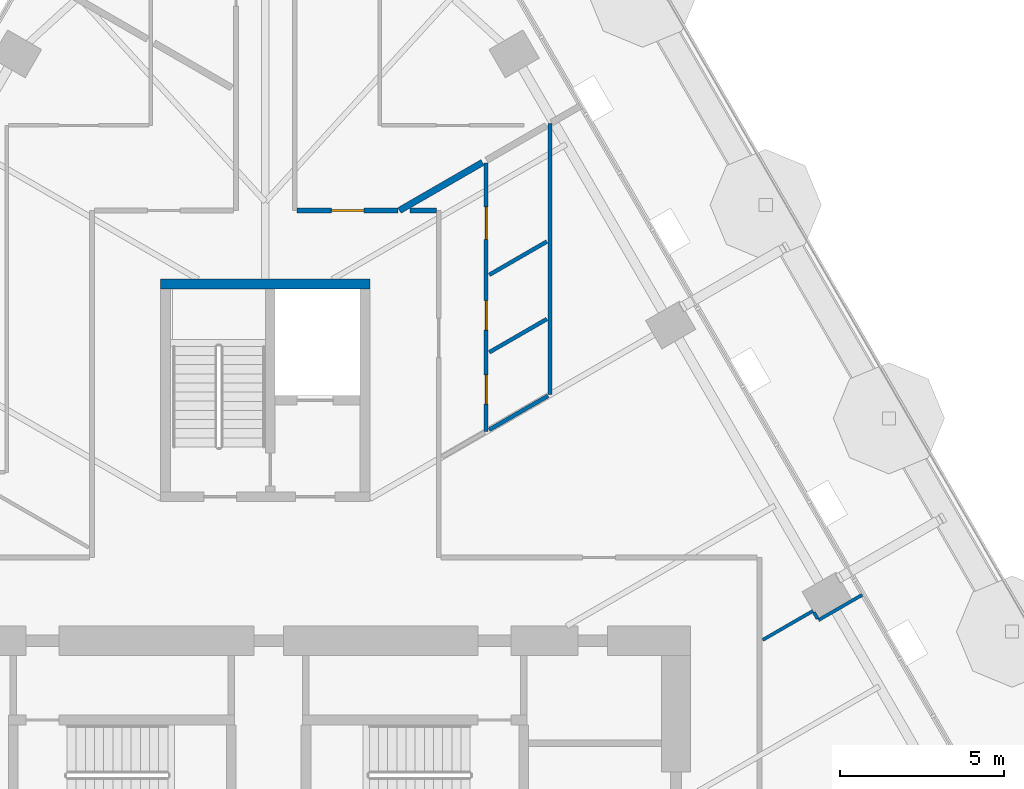
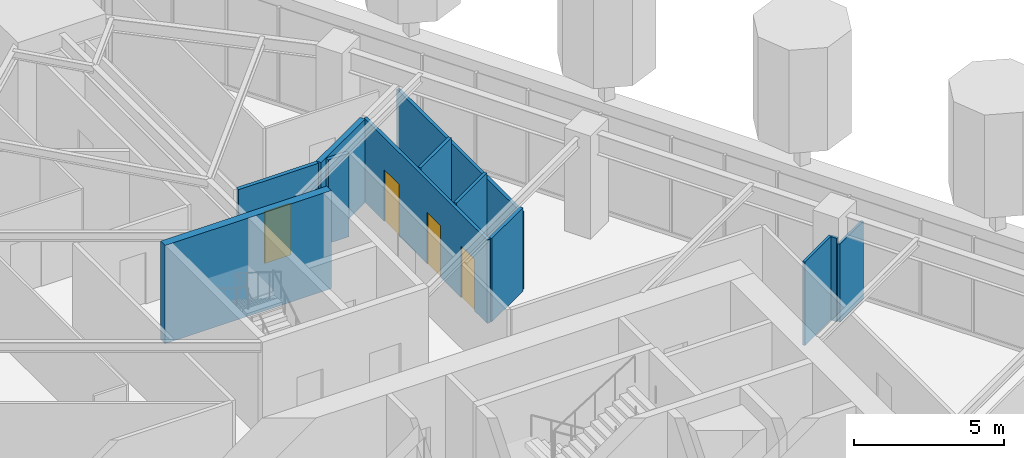
# One storey, part 21 of 26: 12 walls, 4 doors, 4 openings.
"""IFC4 building model written with IfcOpenShell, lengths in metres."""

from ifc_helpers import new_model, si_unit, direction, frame, frame_2d, origin, place, context, subcontext, project, spatial, rectangle, extrude, material, layer, layer_set, type_object, element, fill, save


model = new_model("IFC4")

# Units and contexts
model_context = context("Model", 3, precision=1e-05, world=origin(), true_north=direction((0.0, 1.0)))
body_context = subcontext(model_context, "Body", "Model", "MODEL_VIEW")
ifc_project = project(units=[si_unit("LENGTHUNIT", "METRE"), si_unit("AREAUNIT", "SQUARE_METRE"), si_unit("VOLUMEUNIT", "CUBIC_METRE"), si_unit("PLANEANGLEUNIT", "RADIAN"), si_unit("MASSUNIT", "GRAM", prefix="KILO")], contexts=[model_context])

# Site, building, storey
site_placement = place(None, origin())
site = spatial("IfcSite", under=ifc_project, at=site_placement, CompositionType="ELEMENT")
building_placement = place(site_placement, origin())
building = spatial("IfcBuilding", under=site, at=building_placement, Name="Firuza Gate Tower and Library", CompositionType="ELEMENT")
storey_placement = place(building_placement, frame((0.0, 0.0, 52.60009765625)))
storey = spatial("IfcBuildingStorey", under=building, at=storey_placement, Name="L11", CompositionType="ELEMENT", Elevation=52.60009765625)

# Wall
ifc_material_1 = material(Name="Concrete C80/95", Category="concrete")
ifc_layer_1 = layer(ifc_material_1, 0.300048828125)
ifc_layer_set_1 = layer_set([ifc_layer_1], Name="Core wall 300 C80/95")
wall_type_1 = type_object("IfcWallType", Name="Core wall 300 C80/95", PredefinedType="SHEAR", material=ifc_layer_set_1)
wall_1_placement = place(storey_placement, frame((71.800048828125, 94.449951171875, 0.0), z_axis=(0.0, 0.0, 1.0), x_axis=(1.0, 0.0, 0.0)))
element("IfcWall", 1, at=wall_1_placement, inside=storey, type_object=wall_type_1, Name="Core wall L11 35", PredefinedType="SHEAR", context=body_context, shape_type="SweptSolid", body=[
    extrude(rectangle(XDim=6.39990234375, YDim=0.300048828125, at=frame_2d((3.199951171875, 0.0))), origin(), (0.0, 0.0, 1.0), 4.0),
])

# Wall, opening, door
ifc_material_2 = material(Name="Gypsum board partition")
ifc_layer_2 = layer(ifc_material_2, 0.14990234375)
ifc_layer_set_2 = layer_set([ifc_layer_2], Name="Corridor wall 150 double board on steel studs")
wall_type_2 = type_object("IfcWallType", Name="Corridor wall 150 double board on steel studs", PredefinedType="PARTITIONING", material=ifc_layer_set_2)
wall_2_placement = place(storey_placement, frame((75.97509765625, 96.699951171875, 0.0), z_axis=(0.0, 0.0, 1.0), x_axis=(1.0, 0.0, 0.0)))
wall_2 = element("IfcWall", 2, at=wall_2_placement, inside=storey, type_object=wall_type_2, Name="f:L11:w007", PredefinedType="PARTITIONING", context=body_context, shape_type="SweptSolid", body=[
    extrude(rectangle(XDim=3.081787109375, YDim=0.14990234375, at=frame_2d((1.541015625, 0.0))), origin(), (0.0, 0.0, 1.0), 3.39990234375),
])
opening_1_placement = place(wall_2_placement, frame((1.041015625, 0.0, 0.0)))
opening_1 = element("IfcOpeningElement", 3, at=opening_1_placement, cuts=wall_2, Name="Opening L11-08", PredefinedType="OPENING", context=body_context, shape_type="SweptSolid", body=[
    extrude(rectangle(XDim=1.0, YDim=2.10009765625, at=frame_2d((0.5, 1.050048828125))), frame((0.0, 0.0849609375, 0.0), z_axis=(0.0, -1.0, 0.0), x_axis=(1.0, 0.0, 0.0)), (0.0, 0.0, 1.0), 0.169921875),
])
ifc_material_3 = material(Name="Steel door and timber leaf", Category="steel")
door_type_1 = type_object("IfcDoorType", Name="Fire door 1000 x 2100 steel frame, timber leaf", OperationType="NOTDEFINED", PredefinedType="DOOR", material=ifc_material_3)
door_1_placement = place(opening_1_placement, origin())
door_1 = element("IfcDoor", 4, at=door_1_placement, inside=storey, type_object=door_type_1, Name="f:L11:d008", OperationType="SINGLE_SWING_LEFT", OverallHeight=2.10009765625, OverallWidth=1.0, PredefinedType="DOOR", context=body_context, shape_type="SweptSolid", body=[
    extrude(rectangle(XDim=1.0, YDim=2.10009765625, at=frame_2d((0.5, 1.050048828125))), frame((0.0, 0.02490234375, 0.0), z_axis=(0.0, -1.0, 0.0), x_axis=(1.0, 0.0, 0.0)), (0.0, 0.0, 1.0), 0.050048828125),
])
fill(opening_1, door_1)

# Walls
wall_3_placement = place(storey_placement, frame((79.42919921875, 96.699951171875, 0.0), z_axis=(0.0, 0.0, 1.0), x_axis=(1.0, 0.0, 0.0)))
element("IfcWall", 5, at=wall_3_placement, inside=storey, type_object=wall_type_2, Name="f:L11:w070", PredefinedType="PARTITIONING", context=body_context, shape_type="SweptSolid", body=[
    extrude(rectangle(XDim=0.7958984375, YDim=0.14990234375, at=frame_2d((0.39794921875, 0.0))), origin(), (0.0, 0.0, 1.0), 3.39990234375),
])
ifc_material_4 = material(Name="Gypsum board partition")
ifc_layer_3 = layer(ifc_material_4, 0.199951171875)
ifc_layer_set_3 = layer_set([ifc_layer_3], Name="Demising wall 200 acoustic double stud")
wall_type_3 = type_object("IfcWallType", Name="Demising wall 200 acoustic double stud", PredefinedType="PARTITIONING", material=ifc_layer_set_3)
wall_4_placement = place(storey_placement, frame((79.10009765625, 96.700439453125, 0.0), z_axis=(0.0, 0.0, 1.0), x_axis=(0.866031706645, 0.499989082967, 0.0)))
element("IfcWall", 6, at=wall_4_placement, inside=storey, type_object=wall_type_3, Name="f:L11:w026", PredefinedType="PARTITIONING", context=body_context, shape_type="SweptSolid", body=[
    extrude(rectangle(XDim=2.9326171875, YDim=0.199951171875, at=frame_2d((1.46630859375, 0.0))), origin(), (0.0, 0.0, 1.0), 3.39990234375),
])
ifc_material_5 = material(Name="Gypsum board partition")
ifc_layer_4 = layer(ifc_material_5, 0.10009765625)
ifc_layer_set_4 = layer_set([ifc_layer_4], Name="Partition 100 gypsum board on steel studs")
wall_type_4 = type_object("IfcWallType", Name="Partition 100 gypsum board on steel studs", PredefinedType="PARTITIONING", material=ifc_layer_set_4)
wall_5_placement = place(storey_placement, frame((91.902099609375, 84.18115234375, 0.0), z_axis=(0.0, 0.0, 1.0), x_axis=(0.866018739521, 0.500011542666, 0.0)))
element("IfcWall", 7, at=wall_5_placement, inside=storey, type_object=wall_type_4, Name="f:L11:w018", PredefinedType="PARTITIONING", context=body_context, shape_type="SweptSolid", body=[
    extrude(rectangle(XDim=1.5595703125, YDim=0.10009765625, at=frame_2d((0.77978515625, 0.0))), origin(), (0.0, 0.0, 1.0), 3.164794921875),
])
wall_6_placement = place(storey_placement, frame((90.201171875, 83.57666015625, 0.0), z_axis=(0.0, 0.0, 1.0), x_axis=(0.866016025414, 0.500016243463, 0.0)))
element("IfcWall", 8, at=wall_6_placement, inside=storey, type_object=wall_type_4, Name="f:L11:w019", PredefinedType="PARTITIONING", context=body_context, shape_type="SweptSolid", body=[
    extrude(rectangle(XDim=1.7744140625, YDim=0.10009765625, at=frame_2d((0.88720703125, 0.0))), origin(), (0.0, 0.0, 1.0), 3.39990234375),
])
wall_7_placement = place(storey_placement, frame((91.876708984375, 84.224853515625, 0.0), z_axis=(0.0, 0.0, 1.0), x_axis=(-0.500313526201, 0.865844313662, 0.0)))
element("IfcWall", 9, at=wall_7_placement, inside=storey, type_object=wall_type_4, Name="f:L11:w054", PredefinedType="PARTITIONING", context=body_context, shape_type="SweptSolid", body=[
    extrude(rectangle(XDim=0.226318359375, YDim=0.10009765625, at=frame_2d((0.11328125, 0.0))), origin(), (0.0, 0.0, 1.0), 3.39990234375),
])
ifc_material_6 = material(Name="Gypsum board partition")
ifc_layer_5 = layer(ifc_material_6, 0.1201171875)
ifc_layer_set_5 = layer_set([ifc_layer_5], Name="Wet-area partition 120 moisture-resistant board")
wall_type_5 = type_object("IfcWallType", Name="Wet-area partition 120 moisture-resistant board", PredefinedType="PARTITIONING", material=ifc_layer_set_5)
wall_8_placement = place(storey_placement, frame((81.8447265625, 92.3662109375, 0.0), z_axis=(0.0, 0.0, 1.0), x_axis=(0.866069607179, 0.499923429657, 0.0)))
element("IfcWall", 10, at=wall_8_placement, inside=storey, type_object=wall_type_5, Name="f:L11:w024", PredefinedType="PARTITIONING", context=body_context, shape_type="SweptSolid", body=[
    extrude(rectangle(XDim=2.032958984375, YDim=0.1201171875, at=frame_2d((1.0166015625, 0.0))), origin(), (0.0, 0.0, 1.0), 3.39990234375),
])
wall_9_placement = place(storey_placement, frame((81.8447265625, 94.733154296875, 0.0), z_axis=(0.0, 0.0, 1.0), x_axis=(0.866017611601, 0.500013496215, 0.0)))
element("IfcWall", 11, at=wall_9_placement, inside=storey, type_object=wall_type_5, Name="f:L11:w025", PredefinedType="PARTITIONING", context=body_context, shape_type="SweptSolid", body=[
    extrude(rectangle(XDim=2.033203125, YDim=0.1201171875, at=frame_2d((1.0166015625, 0.0))), origin(), (0.0, 0.0, 1.0), 3.39990234375),
])
wall_10_placement = place(storey_placement, frame((83.699951171875, 91.0703125, 0.0), z_axis=(0.0, 0.0, 1.0), x_axis=(0.0, 1.0, 0.0)))
element("IfcWall", 12, at=wall_10_placement, inside=storey, type_object=wall_type_5, Name="f:L11:w032", PredefinedType="PARTITIONING", context=body_context, shape_type="SweptSolid", body=[
    extrude(rectangle(XDim=8.285400390625, YDim=0.1201171875, at=frame_2d((4.142578125, 0.0))), origin(), (0.0, 0.0, 1.0), 3.164794921875),
])

# Wall, openings, doors
wall_11_placement = place(storey_placement, frame((81.75, 89.9443359375, 0.0), z_axis=(0.0, 0.0, 1.0), x_axis=(0.0, 1.0, 0.0)))
wall_11 = element("IfcWall", 13, at=wall_11_placement, inside=storey, type_object=wall_type_5, Name="f:L11:w034", PredefinedType="PARTITIONING", context=body_context, shape_type="SweptSolid", body=[
    extrude(rectangle(XDim=8.20556640625, YDim=0.1201171875, at=frame_2d((4.102783203125, 0.0))), origin(), (0.0, 0.0, 1.0), 3.39990234375),
])
opening_2_placement = place(wall_11_placement, frame((0.83544921875, 0.0, 0.0)))
opening_2 = element("IfcOpeningElement", 14, at=opening_2_placement, cuts=wall_11, Name="Opening L11-21", PredefinedType="OPENING", context=body_context, shape_type="SweptSolid", body=[
    extrude(rectangle(XDim=0.89990234375, YDim=2.10009765625, at=frame_2d((0.449951171875, 1.050048828125))), frame((0.0, 0.070068359375, 0.0), z_axis=(0.0, -1.0, 0.0), x_axis=(1.0, 0.0, 0.0)), (0.0, 0.0, 1.0), 0.14013671875),
])
opening_3_placement = place(wall_11_placement, frame((3.10107421875, 0.0, 0.0)))
opening_3 = element("IfcOpeningElement", 15, at=opening_3_placement, cuts=wall_11, Name="Opening L11-22", PredefinedType="OPENING", context=body_context, shape_type="SweptSolid", body=[
    extrude(rectangle(XDim=0.89990234375, YDim=2.10009765625, at=frame_2d((0.449951171875, 1.050048828125))), frame((0.0, 0.070068359375, 0.0), z_axis=(0.0, -1.0, 0.0), x_axis=(1.0, 0.0, 0.0)), (0.0, 0.0, 1.0), 0.14013671875),
])
opening_4_placement = place(wall_11_placement, frame((5.86865234375, 0.0, 0.0)))
opening_4 = element("IfcOpeningElement", 16, at=opening_4_placement, cuts=wall_11, Name="Opening L11-23", PredefinedType="OPENING", context=body_context, shape_type="SweptSolid", body=[
    extrude(rectangle(XDim=1.0, YDim=2.10009765625, at=frame_2d((0.5, 1.050048828125))), frame((0.0, 0.070068359375, 0.0), z_axis=(0.0, -1.0, 0.0), x_axis=(1.0, 0.0, 0.0)), (0.0, 0.0, 1.0), 0.14013671875),
])
ifc_material_7 = material(Name="Timber door", Category="wood")
door_type_2 = type_object("IfcDoorType", Name="Door 1000 x 2100 timber leaf", OperationType="NOTDEFINED", PredefinedType="DOOR", material=ifc_material_7)
door_2_placement = place(opening_4_placement, origin())
door_2 = element("IfcDoor", 17, at=door_2_placement, inside=storey, type_object=door_type_2, Name="f:L11:d023", OperationType="SINGLE_SWING_LEFT", OverallHeight=2.10009765625, OverallWidth=1.0, PredefinedType="DOOR", context=body_context, shape_type="SweptSolid", body=[
    extrude(rectangle(XDim=1.0, YDim=2.10009765625, at=frame_2d((0.5, 1.050048828125))), frame((0.0, 0.02490234375, 0.0), z_axis=(0.0, -1.0, 0.0), x_axis=(1.0, 0.0, 0.0)), (0.0, 0.0, 1.0), 0.050048828125),
])
fill(opening_4, door_2)
ifc_material_8 = material(Name="Timber door", Category="wood")
door_type_3 = type_object("IfcDoorType", Name="Door 900 x 2100 timber leaf", OperationType="NOTDEFINED", PredefinedType="DOOR", material=ifc_material_8)
door_3_placement = place(opening_2_placement, origin())
door_3 = element("IfcDoor", 18, at=door_3_placement, inside=storey, type_object=door_type_3, Name="f:L11:d021", OperationType="SINGLE_SWING_LEFT", OverallHeight=2.10009765625, OverallWidth=0.89990234375, PredefinedType="DOOR", context=body_context, shape_type="SweptSolid", body=[
    extrude(rectangle(XDim=0.89990234375, YDim=2.10009765625, at=frame_2d((0.449951171875, 1.050048828125))), frame((0.0, 0.02490234375, 0.0), z_axis=(0.0, -1.0, 0.0), x_axis=(1.0, 0.0, 0.0)), (0.0, 0.0, 1.0), 0.050048828125),
])
fill(opening_2, door_3)
door_4_placement = place(opening_3_placement, origin())
door_4 = element("IfcDoor", 19, at=door_4_placement, inside=storey, type_object=door_type_3, Name="f:L11:d022", OperationType="SINGLE_SWING_RIGHT", OverallHeight=2.10009765625, OverallWidth=0.89990234375, PredefinedType="DOOR", context=body_context, shape_type="SweptSolid", body=[
    extrude(rectangle(XDim=0.89990234375, YDim=2.10009765625, at=frame_2d((0.449951171875, 1.050048828125))), frame((0.0, 0.02490234375, 0.0), z_axis=(0.0, -1.0, 0.0), x_axis=(1.0, 0.0, 0.0)), (0.0, 0.0, 1.0), 0.050048828125),
])
fill(opening_3, door_4)

# Wall
wall_12_placement = place(storey_placement, frame((81.840087890625, 89.99609375, 0.0), z_axis=(0.0, 0.0, 1.0), x_axis=(0.866015411258, 0.500017307165, 0.0)))
element("IfcWall", 20, at=wall_12_placement, inside=storey, type_object=wall_type_5, Name="f:L11:w074", PredefinedType="PARTITIONING", context=body_context, shape_type="SweptSolid", body=[
    extrude(rectangle(XDim=2.07861328125, YDim=0.1201171875, at=frame_2d((1.039306640625, 0.0))), origin(), (0.0, 0.0, 1.0), 3.39990234375),
])

save(model, "model.ifc")
